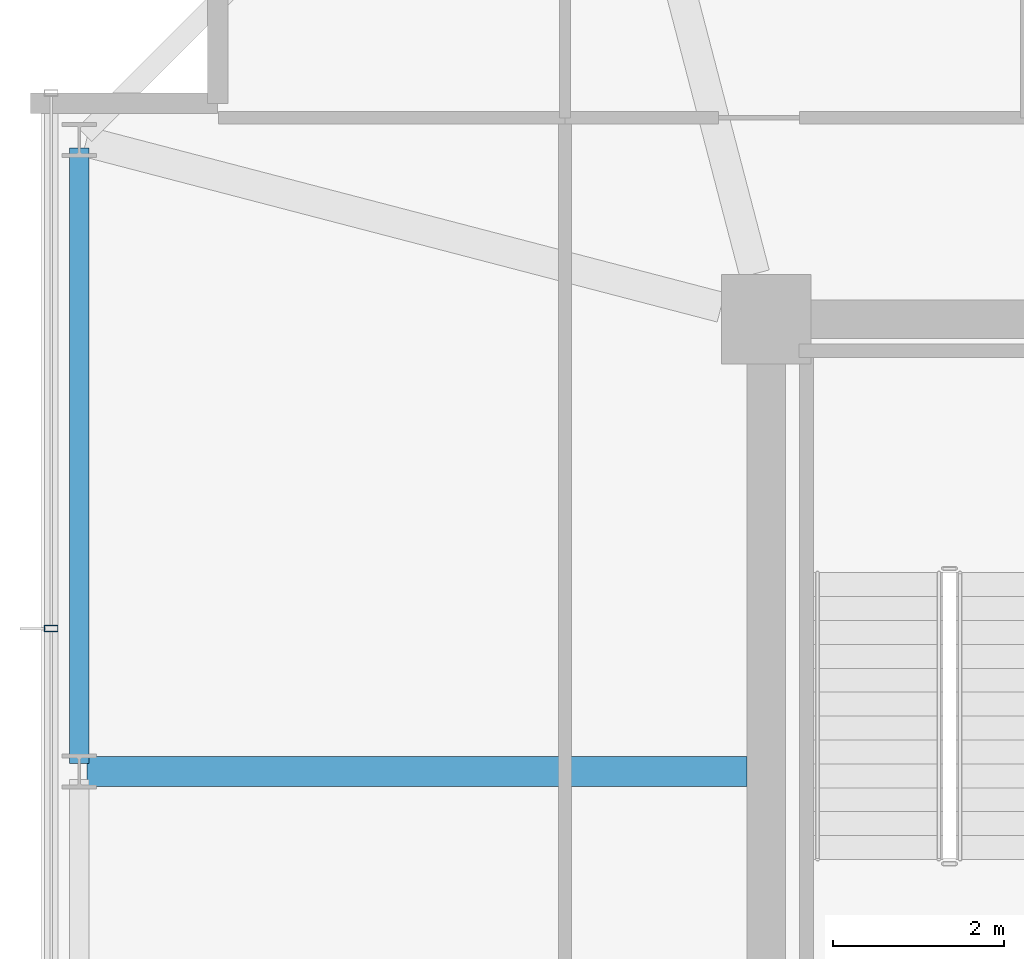
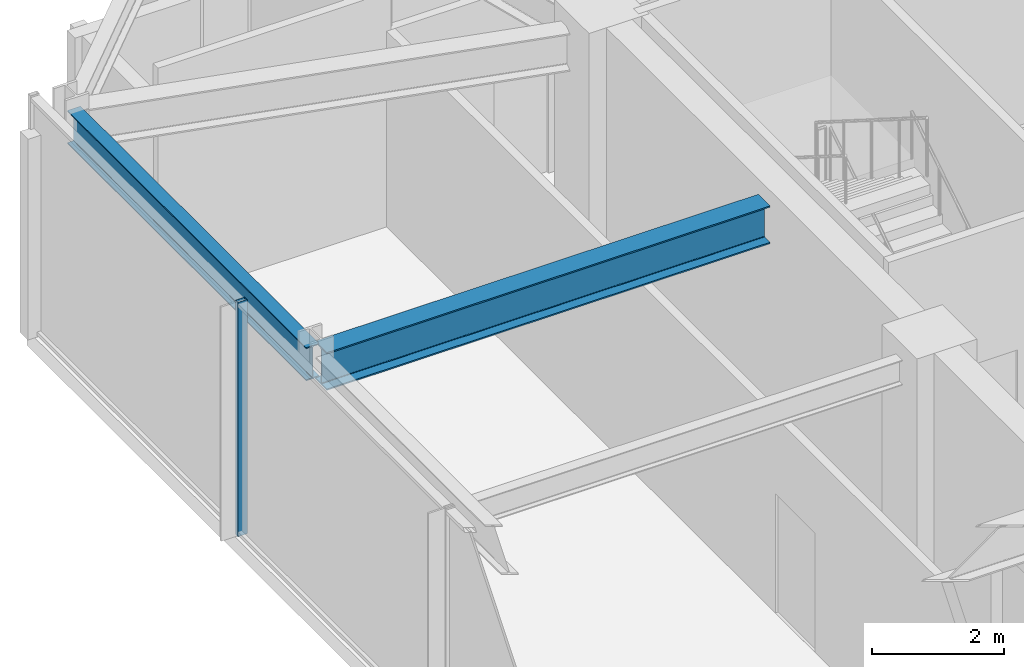
# One storey, part 9 of 30: 2 beams, 1 member, 1 element without a shape of its own.
"""IFC4 building model written with IfcOpenShell, lengths in metres."""

from ifc_helpers import new_model, si_unit, direction, frame, origin, origin_2d, place, context, subcontext, project, spatial, hollow_rectangle, i_section, extrude, material, material_profile, profile_set, type_object, element, aggregate, save


model = new_model("IFC4")

# Units and contexts
model_context = context("Model", 3, precision=1e-05, world=origin(), true_north=direction((0.0, 1.0)))
body_context = subcontext(model_context, "Body", "Model", "MODEL_VIEW")
ifc_project = project(units=[si_unit("LENGTHUNIT", "METRE"), si_unit("AREAUNIT", "SQUARE_METRE"), si_unit("VOLUMEUNIT", "CUBIC_METRE"), si_unit("PLANEANGLEUNIT", "RADIAN"), si_unit("MASSUNIT", "GRAM", prefix="KILO")], contexts=[model_context])

# Site, building, storey
site_placement = place(None, origin())
site = spatial("IfcSite", under=ifc_project, at=site_placement, CompositionType="ELEMENT")
building_placement = place(site_placement, origin())
building = spatial("IfcBuilding", under=site, at=building_placement, Name="Kolvaren Belvedere", CompositionType="ELEMENT")
storey_placement = place(building_placement, frame((0.0, 0.0, 262.800048828125)))
storey = spatial("IfcBuildingStorey", under=building, at=storey_placement, Name="L76", CompositionType="ELEMENT", Elevation=262.800048828125)

# Beams
ifc_material_1 = material(Name="Structural steel ASTM A992 Grade 50", Category="steel")
ifc_material_profile_1 = material_profile(ifc_material_1, i_section(OverallWidth=0.35498046875, OverallDepth=0.696044921875, WebThickness=0.015380859375, FlangeThickness=0.02490234375, FilletRadius=0.02197265625, at=origin_2d()), Name="W27X146")
ifc_profile_set_1 = profile_set([ifc_material_profile_1], Name="Structural steel ASTM A992 Grade 50")
beam_type_1 = type_object("IfcBeamType", Name="BM-GIRD-W27X146", PredefinedType="BEAM", material=ifc_profile_set_1)
beam_1_placement = place(storey_placement, frame((-10.125, 4.60009765625, 3.971923828125), z_axis=(-1.0, 0.0, 0.0), x_axis=(0.0, -1.0, 0.0)))
element("IfcBeam", 1, at=beam_1_placement, inside=storey, type_object=beam_type_1, Name="L76 West Radial Girder P", PredefinedType="BEAM", context=body_context, shape_type="SweptSolid", body=[
    extrude(i_section(OverallWidth=0.35498046875, OverallDepth=0.696044921875, WebThickness=0.015380859375, FlangeThickness=0.02490234375, FilletRadius=0.02197265625, at=origin_2d()), origin(), (0.0, 0.0, 1.0), 7.7333984375),
])
ifc_material_2 = material(Name="Structural steel ASTM A992 Grade 50", Category="steel")
ifc_material_profile_2 = material_profile(ifc_material_2, i_section(OverallWidth=0.22900390625, OverallDepth=0.612060546875, WebThickness=0.011962890625, FlangeThickness=0.01953125, FilletRadius=0.01806640625, at=origin_2d()), Name="W24X84")
ifc_profile_set_2 = profile_set([ifc_material_profile_2], Name="Structural steel ASTM A992 Grade 50")
beam_type_2 = type_object("IfcBeamType", Name="BM-SPAN-W24X84", PredefinedType="SPANDREL", material=ifc_profile_set_2)
beam_2_placement = place(storey_placement, frame((-17.949951171875, 11.908447265625, 4.013916015625), z_axis=(0.0, -1.0, 0.0), x_axis=(1.0, 0.0, 0.0)))
element("IfcBeam", 2, at=beam_2_placement, inside=storey, type_object=beam_type_2, Name="L76 Perimeter Spandrel W4-W3", PredefinedType="SPANDREL", context=body_context, shape_type="SweptSolid", body=[
    extrude(i_section(OverallWidth=0.22900390625, OverallDepth=0.612060546875, WebThickness=0.011962890625, FlangeThickness=0.01953125, FilletRadius=0.01806640625, at=origin_2d()), origin(), (0.0, 0.0, 1.0), 7.216796875),
])

# Curtain wall, member
ifc_material_3 = material(Name="Anodised pale-metal aluminium AA 6063-T6", Category="aluminium")
curtain_wall_type = type_object("IfcCurtainWallType", Name="CW-CRN-OBS", PredefinedType="NOTDEFINED", material=ifc_material_3)
curtain_wall_placement = place(storey_placement, origin())
curtain_wall = element("IfcCurtainWall", 3, at=curtain_wall_placement, inside=storey, type_object=curtain_wall_type, Name="L76 Unitised Curtain Wall FCW-L76-W", PredefinedType="NOTDEFINED")
ifc_material_4 = material(Name="Anodised pale-metal aluminium AA 6063-T6", Category="aluminium")
ifc_material_profile_3 = material_profile(ifc_material_4, hollow_rectangle(XDim=0.074951171875, YDim=0.159912109375, WallThickness=0.00439453125, at=origin_2d()), Name="ALU-MUL-160X75")
ifc_profile_set_3 = profile_set([ifc_material_profile_3], Name="Anodised pale-metal aluminium AA 6063-T6")
member_type = type_object("IfcMemberType", Name="CW-MUL-160", PredefinedType="MULLION", material=ifc_profile_set_3)
member_placement = place(storey_placement, frame((-18.280029296875, 6.27490234375, 0.0), z_axis=(0.0, 0.0, 1.0), x_axis=(0.0, 1.0, 0.0)))
member = element("IfcMember", 4, at=member_placement, type_object=member_type, Name="FCW-L76-W Unitised Mullion 4", PredefinedType="MULLION", context=body_context, shape_type="SweptSolid", body=[
    extrude(hollow_rectangle(XDim=0.074951171875, YDim=0.159912109375, WallThickness=0.00439453125, at=origin_2d()), origin(), (0.0, 0.0, 1.0), 4.320068359375),
])
aggregate(curtain_wall, [member])

save(model, "model.ifc")
